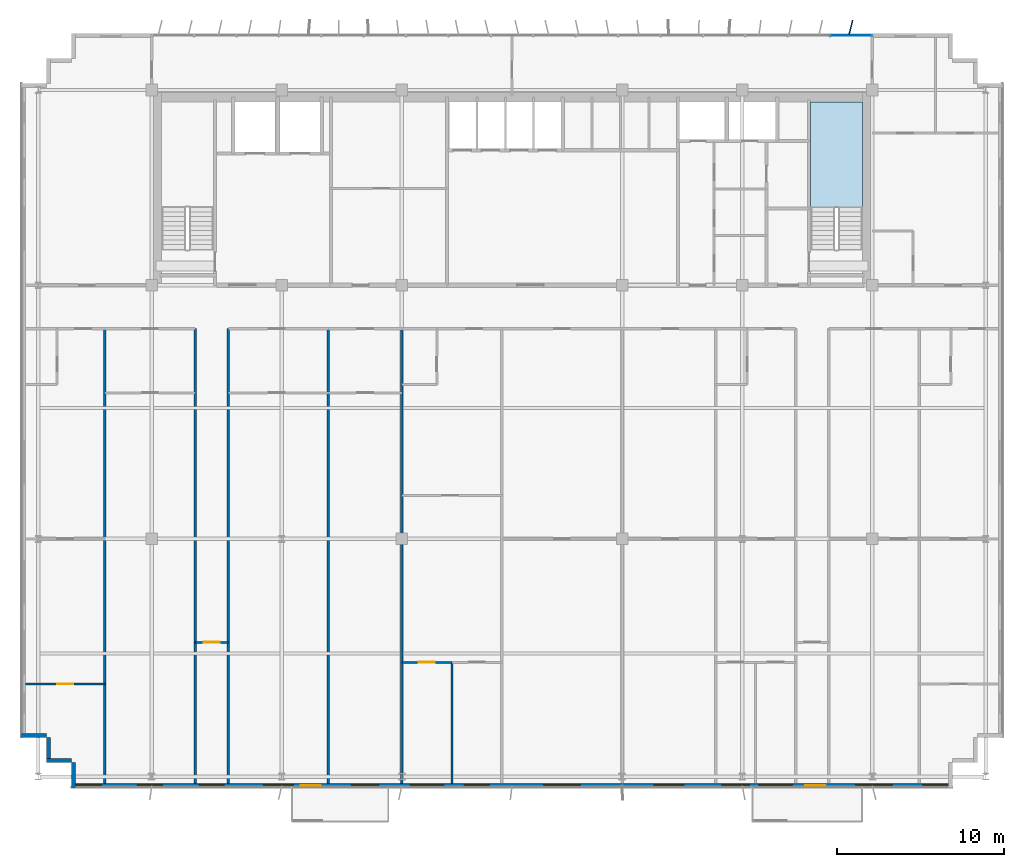
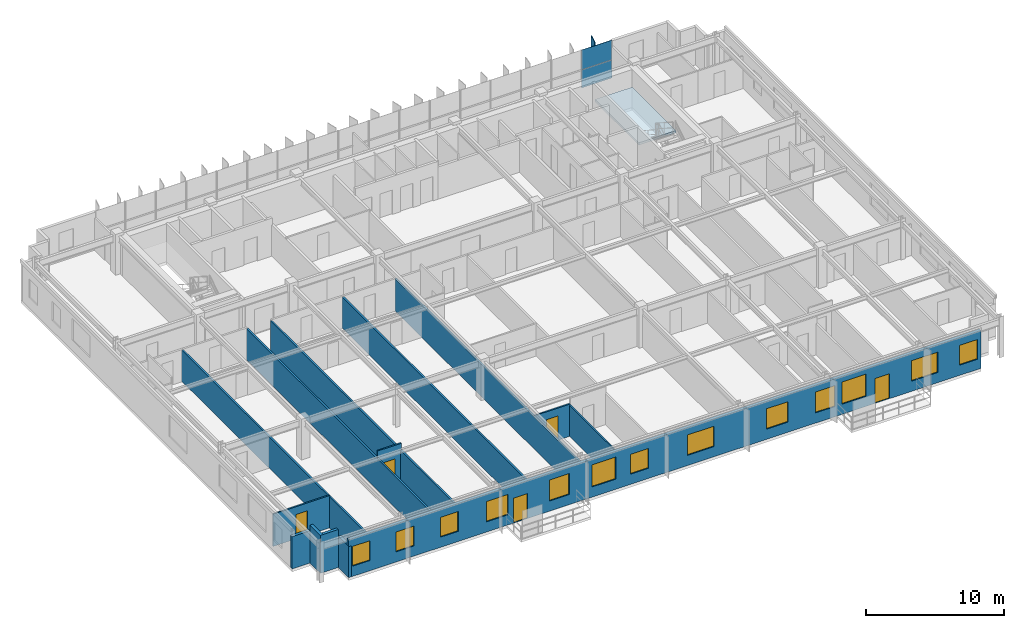
# One storey, part 14 of 21: 14 walls, 13 windows, 5 doors, 3 plates, 1 slab, 18 openings, 2 elements without a shape of their own.
"""IFC4 building model written with IfcOpenShell, lengths in metres."""

from ifc_helpers import new_model, si_unit, direction, frame, frame_2d, origin, origin_2d, place, context, subcontext, project, spatial, polyline, rectangle, outline, extrude, source, transform, mapped, material, layer, layer_set, type_object, element, fill, aggregate, save


model = new_model("IFC4")

# Units and contexts
model_context = context("Model", 3, precision=1e-05, world=origin(), true_north=direction((0.0, 1.0)))
body_context = subcontext(model_context, "Body", "Model", "MODEL_VIEW")
ifc_project = project(units=[si_unit("LENGTHUNIT", "METRE"), si_unit("AREAUNIT", "SQUARE_METRE"), si_unit("VOLUMEUNIT", "CUBIC_METRE"), si_unit("PLANEANGLEUNIT", "RADIAN"), si_unit("MASSUNIT", "GRAM", prefix="KILO")], contexts=[model_context])

# Site, building, storey
site_placement = place(None, origin())
site = spatial("IfcSite", under=ifc_project, at=site_placement, CompositionType="ELEMENT")
building_placement = place(site_placement, origin())
building = spatial("IfcBuilding", under=site, at=building_placement, Name="Trelvane Seafront Commons", CompositionType="ELEMENT")
storey_placement = place(building_placement, frame((0.0, 0.0, 153.699951171875)))
storey = spatial("IfcBuildingStorey", under=building, at=storey_placement, Name="L40", CompositionType="ELEMENT", Elevation=153.699951171875)

# Stair, slab
ifc_material_1 = material(Name="Concrete C40/50", Category="concrete")
stair_type = type_object("IfcStairType", Name="ARCH-STR-ST-2-R20-180", PredefinedType="HALF_TURN_STAIR", material=ifc_material_1)
stair_placement = place(storey_placement, origin())
stair = element("IfcStair", 1, at=stair_placement, inside=storey, type_object=stair_type, Name="L40 East Protected Firefighting Exit Stair ST-2", PredefinedType="HALF_TURN_STAIR")
ifc_layer_1 = layer(ifc_material_1, 0.199951171875, Name="ARCH-LND-200")
ifc_layer_set_1 = layer_set([ifc_layer_1], Name="Concrete C40/50")
slab_type = type_object("IfcSlabType", Name="ARCH-LND-200", PredefinedType="LANDING", material=ifc_layer_set_1)
slab_placement = place(storey_placement, frame((0.0, 0.0, 1.60009765625)))
slab = element("IfcSlab", 2, at=slab_placement, type_object=slab_type, Name="ST-2 landing 1", PredefinedType="LANDING", context=body_context, shape_type="SweptSolid", body=[
    extrude(outline(polyline([(58.199951171875, 38.070068359375), (58.199951171875, 44.39990234375), (55.10009765625, 44.39990234375), (55.10009765625, 38.070068359375), (58.199951171875, 38.070068359375)])), origin(), (0.0, 0.0, 1.0), 0.199951171875),
])
aggregate(stair, [slab])

# Plate
ifc_material_2 = material(Name="Anodised pale-silver aluminium", Category="aluminium")
ifc_layer_2 = layer(ifc_material_2, 0.06005859375, Name="ARCH-PLATE-FIN900")
ifc_layer_set_2 = layer_set([ifc_layer_2], Name="Anodised pale-silver aluminium")
plate_type_1 = type_object("IfcPlateType", Name="ARCH-PLATE-FIN900", PredefinedType="USERDEFINED", material=ifc_layer_set_2)
shared_shape_1 = source(origin(), body_context, "Body", "SweptSolid", [
    extrude(rectangle(XDim=0.89990234375, YDim=0.06005859375, at=origin_2d()), origin(), (0.0, 0.0, 1.0), 3.639892578125),
])
plate_1_placement = place(storey_placement, frame((57.507568359375, 48.8369140625, -0.02001953125), z_axis=(0.0, 0.0, 1.0), x_axis=(0.239109698229, 0.970992560328, 0.0)))
element("IfcPlate", 3, at=plate_1_placement, inside=storey, type_object=plate_type_1, Name="FIN-L40-01115", ObjectType="FIN", PredefinedType="USERDEFINED", context=body_context, shape_type="MappedRepresentation", body=[
    mapped(shared_shape_1, transform((0.0, 0.0, 0.0), x_axis=(1.0, 0.0, 0.0), y_axis=(0.0, 1.0, 0.0), z_axis=(0.0, 0.0, 1.0), scale=1.0)),
])

# Curtain wall, plates
curtain_wall_type = type_object("IfcCurtainWallType", Name="ARCH-CW5-UPTOWER", PredefinedType="NOTDEFINED", material=ifc_material_2)
curtain_wall_placement = place(storey_placement, origin())
curtain_wall = element("IfcCurtainWall", 4, at=curtain_wall_placement, inside=storey, type_object=curtain_wall_type, Name="CW-L40-0067", PredefinedType="NOTDEFINED")
ifc_material_3 = material(Name="Low-E coastal double glazing", Category="glass")
ifc_layer_3 = layer(ifc_material_3, 0.033935546875, Name="ARCH-CW-GLAZ-34")
ifc_layer_set_3 = layer_set([ifc_layer_3], Name="Low-E coastal double glazing")
plate_type_2 = type_object("IfcPlateType", Name="ARCH-CW-GLAZ-34", PredefinedType="CURTAIN_PANEL", material=ifc_layer_set_3)
shared_shape_2 = source(origin(), body_context, "Body", "SweptSolid", [
    extrude(rectangle(XDim=2.51708984375, YDim=0.033935546875, at=origin_2d()), origin(), (0.0, 0.0, 1.0), 1.590087890625),
])
plate_2_placement = place(storey_placement, frame((57.529296875, 48.3701171875, 0.0), z_axis=(0.0, 0.0, 1.0), x_axis=(1.0, 0.0, 0.0)))
plate_2 = element("IfcPlate", 5, at=plate_2_placement, type_object=plate_type_2, Name="CW-L40-0067-P16-1", PredefinedType="CURTAIN_PANEL", context=body_context, shape_type="MappedRepresentation", body=[
    mapped(shared_shape_2, transform((0.0, 0.0, 0.0), x_axis=(1.0, 0.0, 0.0), y_axis=(0.0, 1.0, 0.0), z_axis=(0.0, 0.0, 1.0), scale=1.0)),
])
shared_shape_3 = source(origin(), body_context, "Body", "SweptSolid", [
    extrude(rectangle(XDim=2.51708984375, YDim=0.033935546875, at=origin_2d()), origin(), (0.0, 0.0, 1.0), 1.72412109375),
])
plate_3_placement = place(storey_placement, frame((57.529296875, 48.3701171875, 1.6259765625), z_axis=(0.0, 0.0, 1.0), x_axis=(1.0, 0.0, 0.0)))
plate_3 = element("IfcPlate", 6, at=plate_3_placement, type_object=plate_type_2, Name="CW-L40-0067-P16-2", PredefinedType="CURTAIN_PANEL", context=body_context, shape_type="MappedRepresentation", body=[
    mapped(shared_shape_3, transform((0.0, 0.0, 0.0), x_axis=(1.0, 0.0, 0.0), y_axis=(0.0, 1.0, 0.0), z_axis=(0.0, 0.0, 1.0), scale=1.0)),
])
aggregate(curtain_wall, [plate_2, plate_3])

# Walls
ifc_material_4 = material(Name="Precast concrete C40/50", Category="concrete")
ifc_layer_4 = layer(ifc_material_4, 0.239990234375, Name="ARCH-WALL-EXT240")
ifc_layer_set_4 = layer_set([ifc_layer_4], Name="Precast concrete C40/50")
wall_type_1 = type_object("IfcWallType", Name="ARCH-WALL-EXT240", PredefinedType="SOLIDWALL", material=ifc_layer_set_4)
for number, where, z_axis, x_axis, name in (
    (7, (10.800048828125, 4.919921875, 0.0), (0.0, 0.0, 1.0), (-1.0, 0.0, 0.0), "EW-L40-00781"),
    (8, (9.419921875, 4.800048828125, 0.0), (0.0, 0.0, 1.0), (0.0, 1.0, 0.0), "EW-L40-00782"),
):
    element("IfcWall", number, at=place(storey_placement, frame(where, z_axis=z_axis, x_axis=x_axis)), inside=storey, type_object=wall_type_1, Name=name, PredefinedType="SOLIDWALL", context=body_context, shape_type="SweptSolid", body=[
        extrude(rectangle(XDim=1.5, YDim=0.239990234375, at=frame_2d((0.75, 0.0))), origin(), (0.0, 0.0, 1.0), 3.35009765625),
    ])
wall_1_placement = place(storey_placement, frame((9.300048828125, 6.419921875, 0.0), z_axis=(0.0, 0.0, 1.0), x_axis=(-1.0, 0.0, 0.0)))
element("IfcWall", 9, at=wall_1_placement, inside=storey, type_object=wall_type_1, Name="EW-L40-00783", PredefinedType="SOLIDWALL", context=body_context, shape_type="SweptSolid", body=[
    extrude(rectangle(XDim=1.5, YDim=0.239990234375, at=frame_2d((0.75, 0.0))), origin(), (0.0, 0.0, 1.0), 2.85009765625),
])

# Wall, openings, doors, windows
wall_2_placement = place(storey_placement, frame((63.60009765625, 3.419921875, 0.0), z_axis=(0.0, 0.0, 1.0), x_axis=(-1.0, 0.0, 0.0)))
wall_2 = element("IfcWall", 10, at=wall_2_placement, inside=storey, type_object=wall_type_1, Name="EW-L40-00798", PredefinedType="SOLIDWALL", context=body_context, shape_type="SweptSolid", body=[
    extrude(rectangle(XDim=52.800048828125, YDim=0.239990234375, at=frame_2d((26.39990234375, 0.0))), origin(), (0.0, 0.0, 1.0), 3.35009765625),
])
opening_1_placement = place(wall_2_placement, frame((0.294921875, 0.0, 0.89990234375)))
opening_1 = element("IfcOpeningElement", 11, at=opening_1_placement, cuts=wall_2, Name="Opening W03", PredefinedType="OPENING", context=body_context, shape_type="SweptSolid", body=[
    extrude(rectangle(XDim=1.5, YDim=1.75, at=frame_2d((0.75, 0.875))), frame((0.0, 0.1298828125, 0.0), z_axis=(0.0, -1.0, 0.0), x_axis=(1.0, 0.0, 0.0)), (0.0, 0.0, 1.0), 0.260009765625),
])
opening_2_placement = place(wall_2_placement, frame((3.60009765625, 0.0, 0.89990234375)))
opening_2 = element("IfcOpeningElement", 12, at=opening_2_placement, cuts=wall_2, Name="Opening W02", PredefinedType="OPENING", context=body_context, shape_type="SweptSolid", body=[
    extrude(rectangle(XDim=2.199951171875, YDim=1.800048828125, at=frame_2d((1.10009765625, 0.89990234375))), frame((0.0, 0.1298828125, 0.0), z_axis=(0.0, -1.0, 0.0), x_axis=(1.0, 0.0, 0.0)), (0.0, 0.0, 1.0), 0.260009765625),
])
opening_3_placement = place(wall_2_placement, frame((7.635009765625, 0.0, 0.0)))
opening_3 = element("IfcOpeningElement", 13, at=opening_3_placement, cuts=wall_2, Name="Opening BD-L40-93", PredefinedType="OPENING", context=body_context, shape_type="SweptSolid", body=[
    extrude(rectangle(XDim=1.199951171875, YDim=2.199951171875, at=frame_2d((0.60009765625, 1.10009765625))), frame((0.0, 0.1298828125, 0.0), z_axis=(0.0, -1.0, 0.0), x_axis=(1.0, 0.0, 0.0)), (0.0, 0.0, 1.0), 0.260009765625),
])
opening_4_placement = place(wall_2_placement, frame((9.60009765625, 0.0, 0.89990234375)))
opening_4 = element("IfcOpeningElement", 14, at=opening_4_placement, cuts=wall_2, Name="Opening W06", PredefinedType="OPENING", context=body_context, shape_type="SweptSolid", body=[
    extrude(rectangle(XDim=2.0, YDim=1.949951171875, at=frame_2d((1.0, 0.97509765625))), frame((0.0, 0.1298828125, 0.0), z_axis=(0.0, -1.0, 0.0), x_axis=(1.0, 0.0, 0.0)), (0.0, 0.0, 1.0), 0.260009765625),
])
opening_5_placement = place(wall_2_placement, frame((12.175048828125, 0.0, 0.89990234375)))
opening_5 = element("IfcOpeningElement", 15, at=opening_5_placement, cuts=wall_2, Name="Opening W07", PredefinedType="OPENING", context=body_context, shape_type="SweptSolid", body=[
    extrude(rectangle(XDim=1.64990234375, YDim=1.85009765625, at=frame_2d((0.824951171875, 0.925048828125))), frame((0.0, 0.1298828125, 0.0), z_axis=(0.0, -1.0, 0.0), x_axis=(1.0, 0.0, 0.0)), (0.0, 0.0, 1.0), 0.260009765625),
])
opening_6_placement = place(wall_2_placement, frame((16.10009765625, 0.0, 0.89990234375)))
opening_6 = element("IfcOpeningElement", 16, at=opening_6_placement, cuts=wall_2, Name="Opening W01", PredefinedType="OPENING", context=body_context, shape_type="SweptSolid", body=[
    extrude(rectangle(XDim=1.800048828125, YDim=1.800048828125, at=frame_2d((0.89990234375, 0.89990234375))), frame((0.0, 0.1298828125, 0.0), z_axis=(0.0, -1.0, 0.0), x_axis=(1.0, 0.0, 0.0)), (0.0, 0.0, 1.0), 0.260009765625),
])
opening_7_placement = place(wall_2_placement, frame((22.300048828125, 0.0, 0.89990234375)))
opening_7 = element("IfcOpeningElement", 17, at=opening_7_placement, cuts=wall_2, Name="Opening W02", PredefinedType="OPENING", context=body_context, shape_type="SweptSolid", body=[
    extrude(rectangle(XDim=2.199951171875, YDim=1.800048828125, at=frame_2d((1.10009765625, 0.89990234375))), frame((0.0, 0.1298828125, 0.0), z_axis=(0.0, -1.0, 0.0), x_axis=(1.0, 0.0, 0.0)), (0.0, 0.0, 1.0), 0.260009765625),
])
opening_8_placement = place(wall_2_placement, frame((27.75, 0.0, 0.89990234375)))
opening_8 = element("IfcOpeningElement", 18, at=opening_8_placement, cuts=wall_2, Name="Opening W03", PredefinedType="OPENING", context=body_context, shape_type="SweptSolid", body=[
    extrude(rectangle(XDim=1.5, YDim=1.75, at=frame_2d((0.75, 0.875))), frame((0.0, 0.1298828125, 0.0), z_axis=(0.0, -1.0, 0.0), x_axis=(1.0, 0.0, 0.0)), (0.0, 0.0, 1.0), 0.260009765625),
])
opening_9_placement = place(wall_2_placement, frame((30.5, 0.0, 0.89990234375)))
opening_9 = element("IfcOpeningElement", 19, at=opening_9_placement, cuts=wall_2, Name="Opening W06", PredefinedType="OPENING", context=body_context, shape_type="SweptSolid", body=[
    extrude(rectangle(XDim=2.0, YDim=1.949951171875, at=frame_2d((1.0, 0.97509765625))), frame((0.0, 0.1298828125, 0.0), z_axis=(0.0, -1.0, 0.0), x_axis=(1.0, 0.0, 0.0)), (0.0, 0.0, 1.0), 0.260009765625),
])
opening_10_placement = place(wall_2_placement, frame((34.375, 0.0, 0.89990234375)))
opening_10 = element("IfcOpeningElement", 20, at=opening_10_placement, cuts=wall_2, Name="Opening W07", PredefinedType="OPENING", context=body_context, shape_type="SweptSolid", body=[
    extrude(rectangle(XDim=1.64990234375, YDim=1.85009765625, at=frame_2d((0.824951171875, 0.925048828125))), frame((0.0, 0.1298828125, 0.0), z_axis=(0.0, -1.0, 0.0), x_axis=(1.0, 0.0, 0.0)), (0.0, 0.0, 1.0), 0.260009765625),
])
opening_11_placement = place(wall_2_placement, frame((39.5, 0.0, 0.89990234375)))
opening_11 = element("IfcOpeningElement", 21, at=opening_11_placement, cuts=wall_2, Name="Opening W01", PredefinedType="OPENING", context=body_context, shape_type="SweptSolid", body=[
    extrude(rectangle(XDim=1.800048828125, YDim=1.800048828125, at=frame_2d((0.89990234375, 0.89990234375))), frame((0.0, 0.1298828125, 0.0), z_axis=(0.0, -1.0, 0.0), x_axis=(1.0, 0.0, 0.0)), (0.0, 0.0, 1.0), 0.260009765625),
])
opening_12_placement = place(wall_2_placement, frame((43.64990234375, 0.0, 0.89990234375)))
opening_12 = element("IfcOpeningElement", 22, at=opening_12_placement, cuts=wall_2, Name="Opening W03", PredefinedType="OPENING", context=body_context, shape_type="SweptSolid", body=[
    extrude(rectangle(XDim=1.5, YDim=1.75, at=frame_2d((0.75, 0.875))), frame((0.0, 0.1298828125, 0.0), z_axis=(0.0, -1.0, 0.0), x_axis=(1.0, 0.0, 0.0)), (0.0, 0.0, 1.0), 0.260009765625),
])
opening_13_placement = place(wall_2_placement, frame((47.35009765625, 0.0, 0.89990234375)))
opening_13 = element("IfcOpeningElement", 23, at=opening_13_placement, cuts=wall_2, Name="Opening W03", PredefinedType="OPENING", context=body_context, shape_type="SweptSolid", body=[
    extrude(rectangle(XDim=1.5, YDim=1.75, at=frame_2d((0.75, 0.875))), frame((0.0, 0.1298828125, 0.0), z_axis=(0.0, -1.0, 0.0), x_axis=(1.0, 0.0, 0.0)), (0.0, 0.0, 1.0), 0.260009765625),
])
opening_14_placement = place(wall_2_placement, frame((51.0048828125, 0.0, 0.89990234375)))
opening_14 = element("IfcOpeningElement", 24, at=opening_14_placement, cuts=wall_2, Name="Opening W03", PredefinedType="OPENING", context=body_context, shape_type="SweptSolid", body=[
    extrude(rectangle(XDim=1.5, YDim=1.75, at=frame_2d((0.75, 0.875))), frame((0.0, 0.1298828125, 0.0), z_axis=(0.0, -1.0, 0.0), x_axis=(1.0, 0.0, 0.0)), (0.0, 0.0, 1.0), 0.260009765625),
])
opening_15_placement = place(wall_2_placement, frame((37.85009765625, 0.0, 0.0)))
opening_15 = element("IfcOpeningElement", 25, at=opening_15_placement, cuts=wall_2, Name="Opening BD-L40-94", PredefinedType="OPENING", context=body_context, shape_type="SweptSolid", body=[
    extrude(rectangle(XDim=1.199951171875, YDim=2.199951171875, at=frame_2d((0.60009765625, 1.10009765625))), frame((0.0, 0.1298828125, 0.0), z_axis=(0.0, -1.0, 0.0), x_axis=(1.0, 0.0, 0.0)), (0.0, 0.0, 1.0), 0.260009765625),
])
ifc_material_5 = material(Name="Powder-coated aluminium frame", Category="aluminium")
door_type_1 = type_object("IfcDoorType", Name="ARCH-DR-BAL1200", OperationType="NOTDEFINED", PredefinedType="DOOR", material=ifc_material_5)
shared_shape_4 = source(origin(), body_context, "Body", "SweptSolid", [
    extrude(rectangle(XDim=1.199951171875, YDim=2.199951171875, at=frame_2d((0.60009765625, 1.10009765625))), frame((0.0, 0.02490234375, 0.0), z_axis=(0.0, -1.0, 0.0), x_axis=(1.0, 0.0, 0.0)), (0.0, 0.0, 1.0), 0.050048828125),
])
door_1_placement = place(opening_3_placement, origin())
door_1 = element("IfcDoor", 26, at=door_1_placement, inside=storey, type_object=door_type_1, Name="L40 Balcony Terrace Access Door", OperationType="SINGLE_SWING_LEFT", OverallHeight=2.199951171875, OverallWidth=1.199951171875, PredefinedType="DOOR", context=body_context, shape_type="MappedRepresentation", body=[
    mapped(shared_shape_4, transform((0.0, 0.0, 0.0), x_axis=(1.0, 0.0, 0.0), y_axis=(0.0, 1.0, 0.0), z_axis=(0.0, 0.0, 1.0), scale=1.0)),
])
fill(opening_3, door_1)
door_2_placement = place(opening_15_placement, origin())
door_2 = element("IfcDoor", 27, at=door_2_placement, inside=storey, type_object=door_type_1, Name="L40 Balcony Terrace Access Door", OperationType="SINGLE_SWING_LEFT", OverallHeight=2.199951171875, OverallWidth=1.199951171875, PredefinedType="DOOR", context=body_context, shape_type="MappedRepresentation", body=[
    mapped(shared_shape_4, transform((0.0, 0.0, 0.0), x_axis=(1.0, 0.0, 0.0), y_axis=(0.0, 1.0, 0.0), z_axis=(0.0, 0.0, 1.0), scale=1.0)),
])
fill(opening_15, door_2)
window_type_1 = type_object("IfcWindowType", Name="ARCH-WIN-W02", PartitioningType="SINGLE_PANEL", PredefinedType="WINDOW", material=ifc_material_3)
shared_shape_5 = source(origin(), body_context, "Body", "SweptSolid", [
    extrude(rectangle(XDim=2.199951171875, YDim=1.800048828125, at=frame_2d((1.10009765625, 0.89990234375))), frame((0.0, 0.030029296875, 0.0), z_axis=(0.0, -1.0, 0.0), x_axis=(1.0, 0.0, 0.0)), (0.0, 0.0, 1.0), 0.06005859375),
])
window_1_placement = place(opening_2_placement, origin())
window_1 = element("IfcWindow", 28, at=window_1_placement, inside=storey, type_object=window_type_1, Name="WIN-L40-00942", OverallHeight=1.800048828125, OverallWidth=2.199951171875, PartitioningType="SINGLE_PANEL", PredefinedType="WINDOW", context=body_context, shape_type="MappedRepresentation", body=[
    mapped(shared_shape_5, transform((0.0, 0.0, 0.0), x_axis=(1.0, 0.0, 0.0), y_axis=(0.0, 1.0, 0.0), z_axis=(0.0, 0.0, 1.0), scale=1.0)),
])
fill(opening_2, window_1)
window_2_placement = place(opening_7_placement, origin())
window_2 = element("IfcWindow", 29, at=window_2_placement, inside=storey, type_object=window_type_1, Name="WIN-L40-00946", OverallHeight=1.800048828125, OverallWidth=2.199951171875, PartitioningType="SINGLE_PANEL", PredefinedType="WINDOW", context=body_context, shape_type="MappedRepresentation", body=[
    mapped(shared_shape_5, transform((0.0, 0.0, 0.0), x_axis=(1.0, 0.0, 0.0), y_axis=(0.0, 1.0, 0.0), z_axis=(0.0, 0.0, 1.0), scale=1.0)),
])
fill(opening_7, window_2)
window_type_2 = type_object("IfcWindowType", Name="ARCH-WIN-W03", PartitioningType="SINGLE_PANEL", PredefinedType="WINDOW", material=ifc_material_3)
shared_shape_6 = source(origin(), body_context, "Body", "SweptSolid", [
    extrude(rectangle(XDim=1.5, YDim=1.75, at=frame_2d((0.75, 0.875))), frame((0.0, 0.030029296875, 0.0), z_axis=(0.0, -1.0, 0.0), x_axis=(1.0, 0.0, 0.0)), (0.0, 0.0, 1.0), 0.06005859375),
])
window_3_placement = place(opening_1_placement, origin())
window_3 = element("IfcWindow", 30, at=window_3_placement, inside=storey, type_object=window_type_2, Name="WIN-L40-00941", OverallHeight=1.75, OverallWidth=1.5, PartitioningType="SINGLE_PANEL", PredefinedType="WINDOW", context=body_context, shape_type="MappedRepresentation", body=[
    mapped(shared_shape_6, transform((0.0, 0.0, 0.0), x_axis=(1.0, 0.0, 0.0), y_axis=(0.0, 1.0, 0.0), z_axis=(0.0, 0.0, 1.0), scale=1.0)),
])
fill(opening_1, window_3)
window_4_placement = place(opening_8_placement, origin())
window_4 = element("IfcWindow", 31, at=window_4_placement, inside=storey, type_object=window_type_2, Name="WIN-L40-00947", OverallHeight=1.75, OverallWidth=1.5, PartitioningType="SINGLE_PANEL", PredefinedType="WINDOW", context=body_context, shape_type="MappedRepresentation", body=[
    mapped(shared_shape_6, transform((0.0, 0.0, 0.0), x_axis=(1.0, 0.0, 0.0), y_axis=(0.0, 1.0, 0.0), z_axis=(0.0, 0.0, 1.0), scale=1.0)),
])
fill(opening_8, window_4)
window_5_placement = place(opening_12_placement, origin())
window_5 = element("IfcWindow", 32, at=window_5_placement, inside=storey, type_object=window_type_2, Name="WIN-L40-00951", OverallHeight=1.75, OverallWidth=1.5, PartitioningType="SINGLE_PANEL", PredefinedType="WINDOW", context=body_context, shape_type="MappedRepresentation", body=[
    mapped(shared_shape_6, transform((0.0, 0.0, 0.0), x_axis=(1.0, 0.0, 0.0), y_axis=(0.0, 1.0, 0.0), z_axis=(0.0, 0.0, 1.0), scale=1.0)),
])
fill(opening_12, window_5)
window_6_placement = place(opening_13_placement, origin())
window_6 = element("IfcWindow", 33, at=window_6_placement, inside=storey, type_object=window_type_2, Name="WIN-L40-00952", OverallHeight=1.75, OverallWidth=1.5, PartitioningType="SINGLE_PANEL", PredefinedType="WINDOW", context=body_context, shape_type="MappedRepresentation", body=[
    mapped(shared_shape_6, transform((0.0, 0.0, 0.0), x_axis=(1.0, 0.0, 0.0), y_axis=(0.0, 1.0, 0.0), z_axis=(0.0, 0.0, 1.0), scale=1.0)),
])
fill(opening_13, window_6)
window_7_placement = place(opening_14_placement, origin())
window_7 = element("IfcWindow", 34, at=window_7_placement, inside=storey, type_object=window_type_2, Name="WIN-L40-00953", OverallHeight=1.75, OverallWidth=1.5, PartitioningType="SINGLE_PANEL", PredefinedType="WINDOW", context=body_context, shape_type="MappedRepresentation", body=[
    mapped(shared_shape_6, transform((0.0, 0.0, 0.0), x_axis=(1.0, 0.0, 0.0), y_axis=(0.0, 1.0, 0.0), z_axis=(0.0, 0.0, 1.0), scale=1.0)),
])
fill(opening_14, window_7)
window_type_3 = type_object("IfcWindowType", Name="ARCH-WIN-W06", PartitioningType="SINGLE_PANEL", PredefinedType="WINDOW", material=ifc_material_3)
shared_shape_7 = source(origin(), body_context, "Body", "SweptSolid", [
    extrude(rectangle(XDim=2.0, YDim=1.949951171875, at=frame_2d((1.0, 0.97509765625))), frame((0.0, 0.030029296875, 0.0), z_axis=(0.0, -1.0, 0.0), x_axis=(1.0, 0.0, 0.0)), (0.0, 0.0, 1.0), 0.06005859375),
])
window_8_placement = place(opening_4_placement, origin())
window_8 = element("IfcWindow", 35, at=window_8_placement, inside=storey, type_object=window_type_3, Name="WIN-L40-00943", OverallHeight=1.949951171875, OverallWidth=2.0, PartitioningType="SINGLE_PANEL", PredefinedType="WINDOW", context=body_context, shape_type="MappedRepresentation", body=[
    mapped(shared_shape_7, transform((0.0, 0.0, 0.0), x_axis=(1.0, 0.0, 0.0), y_axis=(0.0, 1.0, 0.0), z_axis=(0.0, 0.0, 1.0), scale=1.0)),
])
fill(opening_4, window_8)
window_9_placement = place(opening_9_placement, origin())
window_9 = element("IfcWindow", 36, at=window_9_placement, inside=storey, type_object=window_type_3, Name="WIN-L40-00948", OverallHeight=1.949951171875, OverallWidth=2.0, PartitioningType="SINGLE_PANEL", PredefinedType="WINDOW", context=body_context, shape_type="MappedRepresentation", body=[
    mapped(shared_shape_7, transform((0.0, 0.0, 0.0), x_axis=(1.0, 0.0, 0.0), y_axis=(0.0, 1.0, 0.0), z_axis=(0.0, 0.0, 1.0), scale=1.0)),
])
fill(opening_9, window_9)
window_type_4 = type_object("IfcWindowType", Name="ARCH-WIN-W01", PartitioningType="SINGLE_PANEL", PredefinedType="WINDOW", material=ifc_material_3)
shared_shape_8 = source(origin(), body_context, "Body", "SweptSolid", [
    extrude(rectangle(XDim=1.800048828125, YDim=1.800048828125, at=frame_2d((0.89990234375, 0.89990234375))), frame((0.0, 0.030029296875, 0.0), z_axis=(0.0, -1.0, 0.0), x_axis=(1.0, 0.0, 0.0)), (0.0, 0.0, 1.0), 0.06005859375),
])
window_10_placement = place(opening_6_placement, origin())
window_10 = element("IfcWindow", 37, at=window_10_placement, inside=storey, type_object=window_type_4, Name="WIN-L40-00945", OverallHeight=1.800048828125, OverallWidth=1.800048828125, PartitioningType="SINGLE_PANEL", PredefinedType="WINDOW", context=body_context, shape_type="MappedRepresentation", body=[
    mapped(shared_shape_8, transform((0.0, 0.0, 0.0), x_axis=(1.0, 0.0, 0.0), y_axis=(0.0, 1.0, 0.0), z_axis=(0.0, 0.0, 1.0), scale=1.0)),
])
fill(opening_6, window_10)
window_11_placement = place(opening_11_placement, origin())
window_11 = element("IfcWindow", 38, at=window_11_placement, inside=storey, type_object=window_type_4, Name="WIN-L40-00950", OverallHeight=1.800048828125, OverallWidth=1.800048828125, PartitioningType="SINGLE_PANEL", PredefinedType="WINDOW", context=body_context, shape_type="MappedRepresentation", body=[
    mapped(shared_shape_8, transform((0.0, 0.0, 0.0), x_axis=(1.0, 0.0, 0.0), y_axis=(0.0, 1.0, 0.0), z_axis=(0.0, 0.0, 1.0), scale=1.0)),
])
fill(opening_11, window_11)
window_type_5 = type_object("IfcWindowType", Name="ARCH-WIN-W07", PartitioningType="SINGLE_PANEL", PredefinedType="WINDOW", material=ifc_material_3)
shared_shape_9 = source(origin(), body_context, "Body", "SweptSolid", [
    extrude(rectangle(XDim=1.64990234375, YDim=1.85009765625, at=frame_2d((0.824951171875, 0.925048828125))), frame((0.0, 0.030029296875, 0.0), z_axis=(0.0, -1.0, 0.0), x_axis=(1.0, 0.0, 0.0)), (0.0, 0.0, 1.0), 0.06005859375),
])
window_12_placement = place(opening_5_placement, origin())
window_12 = element("IfcWindow", 39, at=window_12_placement, inside=storey, type_object=window_type_5, Name="WIN-L40-00944", OverallHeight=1.85009765625, OverallWidth=1.64990234375, PartitioningType="SINGLE_PANEL", PredefinedType="WINDOW", context=body_context, shape_type="MappedRepresentation", body=[
    mapped(shared_shape_9, transform((0.0, 0.0, 0.0), x_axis=(1.0, 0.0, 0.0), y_axis=(0.0, 1.0, 0.0), z_axis=(0.0, 0.0, 1.0), scale=1.0)),
])
fill(opening_5, window_12)
window_13_placement = place(opening_10_placement, origin())
window_13 = element("IfcWindow", 40, at=window_13_placement, inside=storey, type_object=window_type_5, Name="WIN-L40-00949", OverallHeight=1.85009765625, OverallWidth=1.64990234375, PartitioningType="SINGLE_PANEL", PredefinedType="WINDOW", context=body_context, shape_type="MappedRepresentation", body=[
    mapped(shared_shape_9, transform((0.0, 0.0, 0.0), x_axis=(1.0, 0.0, 0.0), y_axis=(0.0, 1.0, 0.0), z_axis=(0.0, 0.0, 1.0), scale=1.0)),
])
fill(opening_10, window_13)

# Wall
wall_3_placement = place(storey_placement, frame((10.919921875, 3.300048828125, 0.0), z_axis=(0.0, 0.0, 1.0), x_axis=(0.0, 1.0, 0.0)))
element("IfcWall", 41, at=wall_3_placement, inside=storey, type_object=wall_type_1, Name="EW-L40-00799", PredefinedType="SOLIDWALL", context=body_context, shape_type="SweptSolid", body=[
    extrude(rectangle(XDim=1.5, YDim=0.239990234375, at=frame_2d((0.75, 0.0))), origin(), (0.0, 0.0, 1.0), 2.75),
])

# Wall, opening, door
ifc_material_6 = material(Name="Gypsum Drywall Acoustic Partition")
ifc_layer_5 = layer(ifc_material_6, 0.1201171875, Name="ARCH-WALL-PART120")
ifc_layer_set_5 = layer_set([ifc_layer_5], Name="Gypsum Drywall Acoustic Partition")
wall_type_2 = type_object("IfcWallType", Name="ARCH-WALL-PART120", PredefinedType="PARTITIONING", material=ifc_layer_set_5)
wall_4_placement = place(storey_placement, frame((8.0400390625, 9.5, 0.0), z_axis=(0.0, 0.0, 1.0), x_axis=(1.0, 0.0, 0.0)))
wall_4 = element("IfcWall", 42, at=wall_4_placement, inside=storey, type_object=wall_type_2, Name="W-L40-U1-YM-1-058", PredefinedType="PARTITIONING", context=body_context, shape_type="SweptSolid", body=[
    extrude(rectangle(XDim=4.760009765625, YDim=0.1201171875, at=frame_2d((2.3798828125, 0.0))), origin(), (0.0, 0.0, 1.0), 2.85009765625),
])
opening_16_placement = place(wall_4_placement, frame((1.905029296875, 0.0, 0.0)))
opening_16 = element("IfcOpeningElement", 43, at=opening_16_placement, cuts=wall_4, Name="Opening D-L40-32", PredefinedType="OPENING", context=body_context, shape_type="SweptSolid", body=[
    extrude(rectangle(XDim=0.949951171875, YDim=2.14990234375, at=frame_2d((0.47509765625, 1.074951171875))), frame((0.0, 0.070068359375, 0.0), z_axis=(0.0, -1.0, 0.0), x_axis=(1.0, 0.0, 0.0)), (0.0, 0.0, 1.0), 0.14013671875),
])
ifc_material_7 = material(Name="Acoustic timber door leaf", Category="wood")
door_type_2 = type_object("IfcDoorType", Name="ARCH-DR-INT950", OperationType="NOTDEFINED", PredefinedType="DOOR", material=ifc_material_7)
shared_shape_10 = source(origin(), body_context, "Body", "SweptSolid", [
    extrude(rectangle(XDim=0.949951171875, YDim=2.14990234375, at=frame_2d((0.47509765625, 1.074951171875))), frame((0.0, 0.02490234375, 0.0), z_axis=(0.0, -1.0, 0.0), x_axis=(1.0, 0.0, 0.0)), (0.0, 0.0, 1.0), 0.050048828125),
])
door_3_placement = place(opening_16_placement, origin())
door_3 = element("IfcDoor", 44, at=door_3_placement, inside=storey, type_object=door_type_2, Name="L40 Door 32", OperationType="SINGLE_SWING_RIGHT", OverallHeight=2.14990234375, OverallWidth=0.949951171875, PredefinedType="DOOR", context=body_context, shape_type="MappedRepresentation", body=[
    mapped(shared_shape_10, transform((0.0, 0.0, 0.0), x_axis=(1.0, 0.0, 0.0), y_axis=(0.0, 1.0, 0.0), z_axis=(0.0, 0.0, 1.0), scale=1.0)),
])
fill(opening_16, door_3)

wall_5_placement = place(storey_placement, frame((18.199951171875, 12.0, 0.0), z_axis=(0.0, 0.0, 1.0), x_axis=(1.0, 0.0, 0.0)))
wall_5 = element("IfcWall", 45, at=wall_5_placement, inside=storey, type_object=wall_type_2, Name="W-L40-ARM-END-3-063", PredefinedType="PARTITIONING", context=body_context, shape_type="SweptSolid", body=[
    extrude(rectangle(XDim=2.0, YDim=0.1201171875, at=frame_2d((1.0, 0.0))), origin(), (0.0, 0.0, 1.0), 3.35009765625),
])
opening_17_placement = place(wall_5_placement, frame((0.52001953125, 0.0, 0.0)))
opening_17 = element("IfcOpeningElement", 46, at=opening_17_placement, cuts=wall_5, Name="Opening D-L40-35", PredefinedType="OPENING", context=body_context, shape_type="SweptSolid", body=[
    extrude(rectangle(XDim=0.949951171875, YDim=2.14990234375, at=frame_2d((0.47509765625, 1.074951171875))), frame((0.0, 0.070068359375, 0.0), z_axis=(0.0, -1.0, 0.0), x_axis=(1.0, 0.0, 0.0)), (0.0, 0.0, 1.0), 0.14013671875),
])
door_4_placement = place(opening_17_placement, origin())
door_4 = element("IfcDoor", 47, at=door_4_placement, inside=storey, type_object=door_type_2, Name="L40 Door 35", OperationType="SINGLE_SWING_LEFT", OverallHeight=2.14990234375, OverallWidth=0.949951171875, PredefinedType="DOOR", context=body_context, shape_type="MappedRepresentation", body=[
    mapped(shared_shape_10, transform((0.0, 0.0, 0.0), x_axis=(1.0, 0.0, 0.0), y_axis=(0.0, 1.0, 0.0), z_axis=(0.0, 0.0, 1.0), scale=1.0)),
])
fill(opening_17, door_4)

wall_6_placement = place(storey_placement, frame((30.60009765625, 10.800048828125, 0.0), z_axis=(0.0, 0.0, 1.0), x_axis=(1.0, 0.0, 0.0)))
wall_6 = element("IfcWall", 48, at=wall_6_placement, inside=storey, type_object=wall_type_2, Name="W-L40-U6-YM-1-072", PredefinedType="PARTITIONING", context=body_context, shape_type="SweptSolid", body=[
    extrude(rectangle(XDim=3.0, YDim=0.1201171875, at=frame_2d((1.5, 0.0))), origin(), (0.0, 0.0, 1.0), 2.85009765625),
])
opening_18_placement = place(wall_6_placement, frame((1.02490234375, 0.0, 0.0)))
opening_18 = element("IfcOpeningElement", 49, at=opening_18_placement, cuts=wall_6, Name="Opening D-L40-43", PredefinedType="OPENING", context=body_context, shape_type="SweptSolid", body=[
    extrude(rectangle(XDim=0.949951171875, YDim=2.14990234375, at=frame_2d((0.47509765625, 1.074951171875))), frame((0.0, 0.070068359375, 0.0), z_axis=(0.0, -1.0, 0.0), x_axis=(1.0, 0.0, 0.0)), (0.0, 0.0, 1.0), 0.14013671875),
])
door_5_placement = place(opening_18_placement, origin())
door_5 = element("IfcDoor", 50, at=door_5_placement, inside=storey, type_object=door_type_2, Name="L40 Door 43", OperationType="SINGLE_SWING_LEFT", OverallHeight=2.14990234375, OverallWidth=0.949951171875, PredefinedType="DOOR", context=body_context, shape_type="MappedRepresentation", body=[
    mapped(shared_shape_10, transform((0.0, 0.0, 0.0), x_axis=(1.0, 0.0, 0.0), y_axis=(0.0, 1.0, 0.0), z_axis=(0.0, 0.0, 1.0), scale=1.0)),
])
fill(opening_18, door_5)

# Walls
wall_7_placement = place(storey_placement, frame((33.60009765625, 3.52490234375, 0.0), z_axis=(0.0, 0.0, 1.0), x_axis=(0.0, 1.0, 0.0)))
element("IfcWall", 51, at=wall_7_placement, inside=storey, type_object=wall_type_2, Name="W-L40-U6-BDV-1-074", PredefinedType="PARTITIONING", context=body_context, shape_type="SweptSolid", body=[
    extrude(rectangle(XDim=7.275146484375, YDim=0.1201171875, at=frame_2d((3.6376953125, 0.0))), origin(), (0.0, 0.0, 1.0), 2.75),
])
ifc_layer_6 = layer(ifc_material_6, 0.14990234375, Name="ARCH-WALL-PART150")
ifc_layer_set_6 = layer_set([ifc_layer_6], Name="Gypsum Drywall Acoustic Partition")
wall_type_3 = type_object("IfcWallType", Name="ARCH-WALL-PART150", PredefinedType="PARTITIONING", material=ifc_layer_set_6)
for number, where, z_axis, x_axis, name in (
    (52, (12.800048828125, 3.52490234375, 0.0), (0.0, 0.0, 1.0), (0.0, 1.0, 0.0), "W-L40-PW-1-047"),
    (53, (26.199951171875, 3.52490234375, 0.0), (0.0, 0.0, 1.0), (0.0, 1.0, 0.0), "W-L40-PW-4-048"),
):
    element("IfcWall", number, at=place(storey_placement, frame(where, z_axis=z_axis, x_axis=x_axis)), inside=storey, type_object=wall_type_3, Name=name, PredefinedType="PARTITIONING", context=body_context, shape_type="SweptSolid", body=[
        extrude(rectangle(XDim=27.275146484375, YDim=0.14990234375, at=frame_2d((13.6376953125, 0.0))), origin(), (0.0, 0.0, 1.0), 2.75),
    ])
wall_8_placement = place(storey_placement, frame((30.60009765625, 3.52490234375, 0.0), z_axis=(0.0, 0.0, 1.0), x_axis=(0.0, 1.0, 0.0)))
element("IfcWall", 54, at=wall_8_placement, inside=storey, type_object=wall_type_3, Name="W-L40-PW-5-049", PredefinedType="PARTITIONING", context=body_context, shape_type="SweptSolid", body=[
    extrude(rectangle(XDim=27.275146484375, YDim=0.14990234375, at=frame_2d((13.6376953125, 0.0))), origin(), (0.0, 0.0, 1.0), 2.85009765625),
])
for number, where, z_axis, x_axis, name in (
    (55, (18.199951171875, 3.52490234375, 0.0), (0.0, 0.0, 1.0), (0.0, 1.0, 0.0), "W-L40-ARM-W-3-061"),
    (56, (20.199951171875, 3.52490234375, 0.0), (0.0, 0.0, 1.0), (0.0, 1.0, 0.0), "W-L40-ARM-E-3-062"),
):
    element("IfcWall", number, at=place(storey_placement, frame(where, z_axis=z_axis, x_axis=x_axis)), inside=storey, type_object=wall_type_3, Name=name, PredefinedType="PARTITIONING", context=body_context, shape_type="SweptSolid", body=[
        extrude(rectangle(XDim=27.275146484375, YDim=0.14990234375, at=frame_2d((13.6376953125, 0.0))), origin(), (0.0, 0.0, 1.0), 2.75),
    ])

save(model, "model.ifc")
